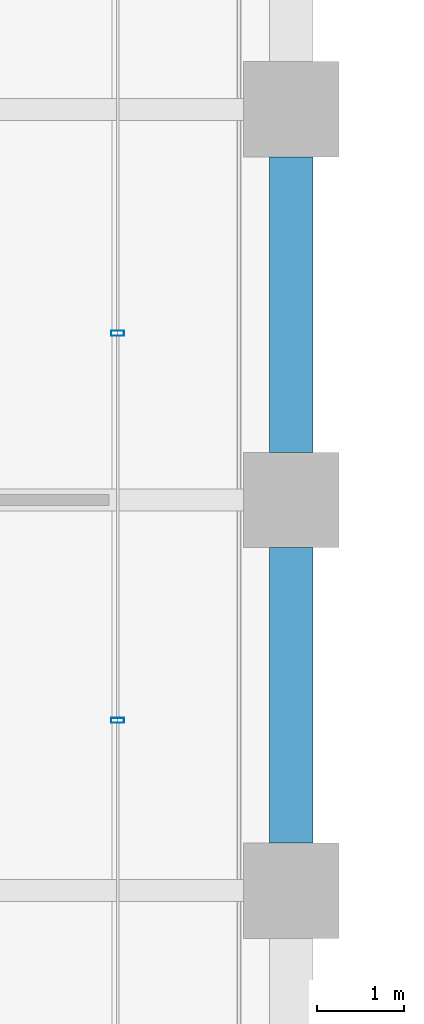
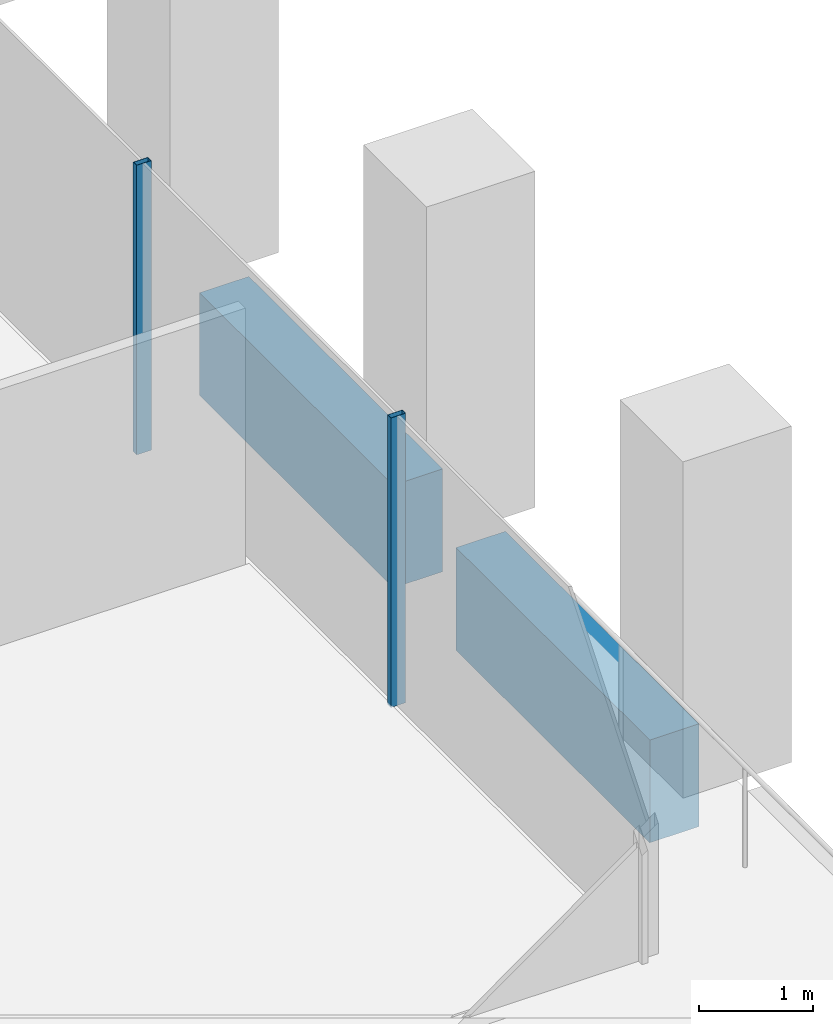
# One storey, part 18 of 54: 2 beams, 2 members, 1 element without a shape of its own.
"""IFC4 building model written with IfcOpenShell, lengths in metres."""

from ifc_helpers import new_model, si_unit, direction, frame, origin, origin_2d, place, context, subcontext, project, spatial, rectangle, hollow_rectangle, extrude, material, material_profile, profile_set, type_object, element, aggregate, save


model = new_model("IFC4")

# Units and contexts
model_context = context("Model", 3, precision=1e-05, world=origin(), true_north=direction((0.0, 1.0)))
body_context = subcontext(model_context, "Body", "Model", "MODEL_VIEW")
ifc_project = project(units=[si_unit("LENGTHUNIT", "METRE"), si_unit("AREAUNIT", "SQUARE_METRE"), si_unit("VOLUMEUNIT", "CUBIC_METRE"), si_unit("PLANEANGLEUNIT", "RADIAN"), si_unit("MASSUNIT", "GRAM", prefix="KILO")], contexts=[model_context])

# Site, building, storey
site_placement = place(None, origin())
site = spatial("IfcSite", under=ifc_project, at=site_placement, CompositionType="ELEMENT")
building_placement = place(site_placement, origin())
building = spatial("IfcBuilding", under=site, at=building_placement, Name="Altepetl Exchange Towers", CompositionType="ELEMENT")
storey_placement = place(building_placement, frame((0.0, 0.0, 65.39990234375)))
storey = spatial("IfcBuildingStorey", under=building, at=storey_placement, Name="L15", CompositionType="ELEMENT", Elevation=65.39990234375)

# Curtain wall, members
ifc_material_1 = material(Name="Aluminium 6063-T6 glazing", Category="aluminium")
curtain_wall_type = type_object("IfcCurtainWallType", Name="Loggia glazing system", PredefinedType="NOTDEFINED", material=ifc_material_1)
curtain_wall_placement = place(storey_placement, origin())
curtain_wall = element("IfcCurtainWall", 1, at=curtain_wall_placement, inside=storey, type_object=curtain_wall_type, Name="CW1 run", PredefinedType="NOTDEFINED")
ifc_material_2 = material(Name="Aluminium 6063-T6", Category="aluminium")
ifc_material_profile_1 = material_profile(ifc_material_2, hollow_rectangle(XDim=0.06005859375, YDim=0.14990234375, WallThickness=0.0029296875, at=origin_2d()), Name="Mullion 60x150 aluminium")
ifc_profile_set_1 = profile_set([ifc_material_profile_1], Name="Aluminium 6063-T6")
member_type = type_object("IfcMemberType", Name="Mullion 60x150 aluminium", PredefinedType="MULLION", material=ifc_profile_set_1)
member_1_placement = place(storey_placement, frame((70.0, 37.9609375, 0.0), z_axis=(0.0, 0.0, 1.0), x_axis=(0.0, 1.0, 0.0)))
member_1 = element("IfcMember", 2, at=member_1_placement, type_object=member_type, Name="MU1 mullion", PredefinedType="MULLION", context=body_context, shape_type="SweptSolid", body=[
    extrude(hollow_rectangle(XDim=0.06005859375, YDim=0.14990234375, WallThickness=0.0029296875, at=origin_2d()), origin(), (0.0, 0.0, 1.0), 3.10009765625),
])
member_2_placement = place(storey_placement, frame((70.0, 42.422119140625, 0.0), z_axis=(0.0, 0.0, 1.0), x_axis=(0.0, 1.0, 0.0)))
member_2 = element("IfcMember", 3, at=member_2_placement, type_object=member_type, Name="MU1 mullion", PredefinedType="MULLION", context=body_context, shape_type="SweptSolid", body=[
    extrude(hollow_rectangle(XDim=0.06005859375, YDim=0.14990234375, WallThickness=0.0029296875, at=origin_2d()), origin(), (0.0, 0.0, 1.0), 3.10009765625),
])
aggregate(curtain_wall, [member_1, member_2])

# Beams
ifc_material_3 = material(Name="Concrete C50/60 precast with cantera amarilla facing", Category="concrete")
ifc_material_profile_2 = material_profile(ifc_material_3, rectangle(XDim=0.5, YDim=1.10009765625, at=origin_2d()), Name="500 x 1100")
ifc_profile_set_2 = profile_set([ifc_material_profile_2], Name="Concrete C50/60 precast with cantera amarilla facing")
beam_type = type_object("IfcBeamType", Name="Spandrel beam 500x1100 cantera amarilla", PredefinedType="SPANDREL", material=ifc_profile_set_2)
for number, where, z_axis, x_axis, name in (
    (4, (72.0, 36.550048828125, -0.699951171875), (0.0, 1.0, 0.0), (-1.0, 0.0, 0.0), "sp:A:L15:013"),
    (5, (72.0, 41.050048828125, -0.699951171875), (0.0, 1.0, 0.0), (-1.0, 0.0, 0.0), "sp:A:L15:014"),
):
    element("IfcBeam", number, at=place(storey_placement, frame(where, z_axis=z_axis, x_axis=x_axis)), inside=storey, type_object=beam_type, Name=name, PredefinedType="SPANDREL", context=body_context, shape_type="SweptSolid", body=[
        extrude(rectangle(XDim=0.5, YDim=1.10009765625, at=origin_2d()), origin(), (0.0, 0.0, 1.0), 3.39990234375),
    ])

save(model, "model.ifc")
